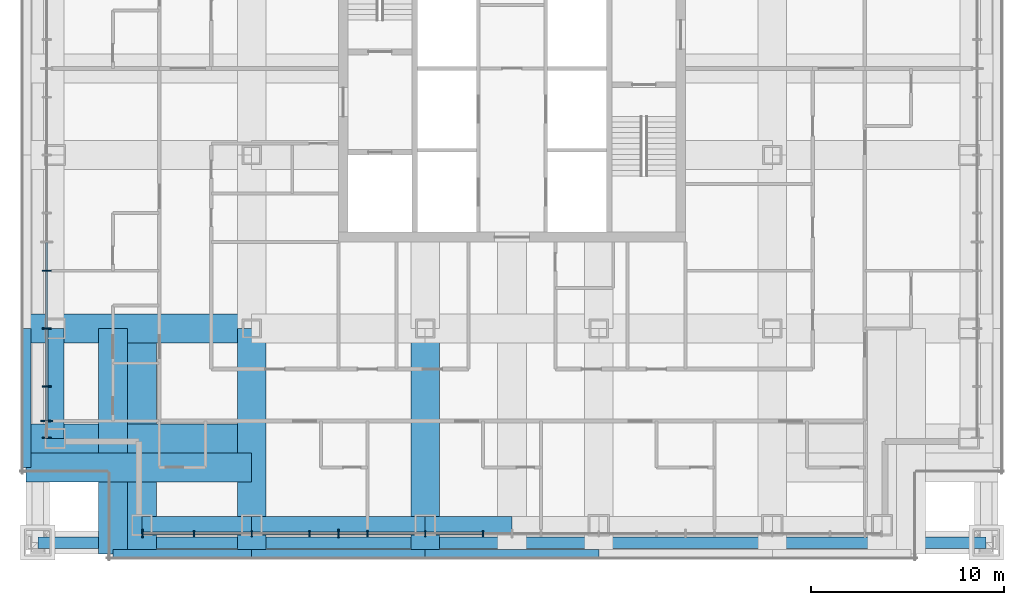
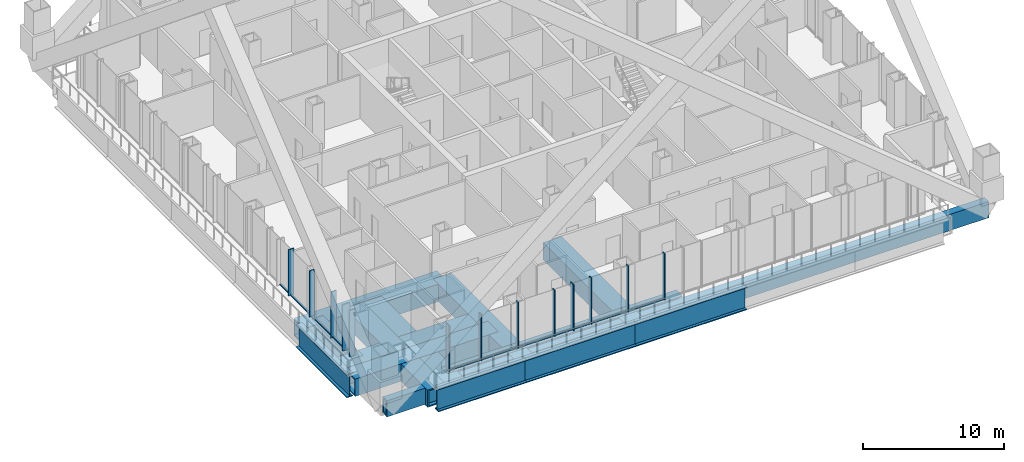
# One storey, part 2 of 20: 25 members, 15 beams, 2 elements without a shape of their own.
"""IFC4 building model written with IfcOpenShell, lengths in metres."""

from ifc_helpers import new_model, si_unit, direction, frame, origin, origin_2d, place, context, subcontext, project, spatial, rectangle, hollow_rectangle, i_section, extrude, material, layer, layer_set, material_profile, profile_set, type_object, element, aggregate, save


model = new_model("IFC4")

# Units and contexts
model_context = context("Model", 3, precision=1e-05, world=origin(), true_north=direction((0.0, 1.0)))
body_context = subcontext(model_context, "Body", "Model", "MODEL_VIEW")
ifc_project = project(units=[si_unit("LENGTHUNIT", "METRE"), si_unit("AREAUNIT", "SQUARE_METRE"), si_unit("VOLUMEUNIT", "CUBIC_METRE"), si_unit("PLANEANGLEUNIT", "RADIAN"), si_unit("MASSUNIT", "GRAM", prefix="KILO")], contexts=[model_context])

# Site, building, storey
site_placement = place(None, origin())
site = spatial("IfcSite", under=ifc_project, at=site_placement, CompositionType="ELEMENT")
building_placement = place(site_placement, origin())
building = spatial("IfcBuilding", under=site, at=building_placement, Name="Malebo Sky Hospital", CompositionType="ELEMENT")
storey_placement = place(building_placement, frame((0.0, 0.0, 100.0)))
storey = spatial("IfcBuildingStorey", under=building, at=storey_placement, Name="L23", CompositionType="ELEMENT", Elevation=100.0)

# Curtain wall, members
ifc_material_1 = material(Name="Anodised aluminium, natural silver", Category="aluminium")
ifc_layer_1 = layer(ifc_material_1, 0.25)
ifc_layer_set_1 = layer_set([ifc_layer_1], Name="WARD CURTAIN WALL EAST AND WEST")
curtain_wall_type_1 = type_object("IfcCurtainWallType", Name="WARD CURTAIN WALL EAST AND WEST", PredefinedType="NOTDEFINED", material=ifc_layer_set_1)
curtain_wall_1_placement = place(storey_placement, origin())
curtain_wall_1 = element("IfcCurtainWall", 1, at=curtain_wall_1_placement, inside=storey, type_object=curtain_wall_type_1, Name="EW curtain wall W", PredefinedType="NOTDEFINED")
ifc_material_profile_1 = material_profile(ifc_material_1, rectangle(XDim=0.14990234375, YDim=0.10009765625, at=origin_2d()), Name="ALUMINIUM TRANSOM 150x100")
ifc_profile_set_1 = profile_set([ifc_material_profile_1], Name="Anodised aluminium, natural silver")
member_type_1 = type_object("IfcMemberType", Name="ALUMINIUM TRANSOM 150x100", PredefinedType="USERDEFINED", material=ifc_profile_set_1)
member_1_placement = place(storey_placement, frame((35.864990234375, 43.737548828125, 0.050048828125), z_axis=(0.0, 1.0, 0.0), x_axis=(-1.0, 0.0, 0.0)))
member_1 = element("IfcMember", 2, at=member_1_placement, type_object=member_type_1, Name="Transom 2", ObjectType="TRANSOM", PredefinedType="USERDEFINED", context=body_context, shape_type="SweptSolid", body=[
    extrude(rectangle(XDim=0.14990234375, YDim=0.10009765625, at=origin_2d()), origin(), (0.0, 0.0, 1.0), 1.724853515625),
])
member_2_placement = place(storey_placement, frame((35.864990234375, 45.53759765625, 0.050048828125), z_axis=(0.0, 1.0, 0.0), x_axis=(-1.0, 0.0, 0.0)))
member_2 = element("IfcMember", 3, at=member_2_placement, type_object=member_type_1, Name="Transom 3", ObjectType="TRANSOM", PredefinedType="USERDEFINED", context=body_context, shape_type="SweptSolid", body=[
    extrude(rectangle(XDim=0.14990234375, YDim=0.10009765625, at=origin_2d()), origin(), (0.0, 0.0, 1.0), 2.9248046875),
])
member_3_placement = place(storey_placement, frame((35.864990234375, 48.53759765625, 0.050048828125), z_axis=(0.0, 1.0, 0.0), x_axis=(-1.0, 0.0, 0.0)))
member_3 = element("IfcMember", 4, at=member_3_placement, type_object=member_type_1, Name="Transom 4", ObjectType="TRANSOM", PredefinedType="USERDEFINED", context=body_context, shape_type="SweptSolid", body=[
    extrude(rectangle(XDim=0.14990234375, YDim=0.10009765625, at=origin_2d()), origin(), (0.0, 0.0, 1.0), 2.9248046875),
])
member_4_placement = place(storey_placement, frame((35.864990234375, 51.53759765625, 0.050048828125), z_axis=(0.0, 1.0, 0.0), x_axis=(-1.0, 0.0, 0.0)))
member_4 = element("IfcMember", 5, at=member_4_placement, type_object=member_type_1, Name="Transom 5", ObjectType="TRANSOM", PredefinedType="USERDEFINED", context=body_context, shape_type="SweptSolid", body=[
    extrude(rectangle(XDim=0.14990234375, YDim=0.10009765625, at=origin_2d()), origin(), (0.0, 0.0, 1.0), 1.4248046875),
])

ifc_layer_2 = layer(ifc_material_1, 0.25)
ifc_layer_set_2 = layer_set([ifc_layer_2], Name="WARD CURTAIN WALL NORTH AND SOUTH")
curtain_wall_type_2 = type_object("IfcCurtainWallType", Name="WARD CURTAIN WALL NORTH AND SOUTH", PredefinedType="NOTDEFINED", material=ifc_layer_set_2)
curtain_wall_2_placement = place(storey_placement, origin())
curtain_wall_2 = element("IfcCurtainWall", 6, at=curtain_wall_2_placement, inside=storey, type_object=curtain_wall_type_2, Name="NS curtain wall S", PredefinedType="NOTDEFINED")
member_5_placement = place(storey_placement, frame((58.46240234375, 37.864990234375, 0.050048828125), z_axis=(-1.0, 0.0, 0.0), x_axis=(0.0, -1.0, 0.0)))
member_5 = element("IfcMember", 7, at=member_5_placement, type_object=member_type_1, Name="Transom 11", ObjectType="TRANSOM", PredefinedType="USERDEFINED", context=body_context, shape_type="SweptSolid", body=[
    extrude(rectangle(XDim=0.14990234375, YDim=0.10009765625, at=origin_2d()), origin(), (0.0, 0.0, 1.0), 2.9248046875),
])
member_6_placement = place(storey_placement, frame((55.46240234375, 37.864990234375, 0.050048828125), z_axis=(-1.0, 0.0, 0.0), x_axis=(0.0, -1.0, 0.0)))
member_6 = element("IfcMember", 8, at=member_6_placement, type_object=member_type_1, Name="Transom 12", ObjectType="TRANSOM", PredefinedType="USERDEFINED", context=body_context, shape_type="SweptSolid", body=[
    extrude(rectangle(XDim=0.14990234375, YDim=0.10009765625, at=origin_2d()), origin(), (0.0, 0.0, 1.0), 2.9248046875),
])
member_7_placement = place(storey_placement, frame((52.46240234375, 37.864990234375, 0.050048828125), z_axis=(-1.0, 0.0, 0.0), x_axis=(0.0, -1.0, 0.0)))
member_7 = element("IfcMember", 9, at=member_7_placement, type_object=member_type_1, Name="Transom 13", ObjectType="TRANSOM", PredefinedType="USERDEFINED", context=body_context, shape_type="SweptSolid", body=[
    extrude(rectangle(XDim=0.14990234375, YDim=0.10009765625, at=origin_2d()), origin(), (0.0, 0.0, 1.0), 1.4248046875),
])
member_8_placement = place(storey_placement, frame((50.96240234375, 37.864990234375, 0.050048828125), z_axis=(-1.0, 0.0, 0.0), x_axis=(0.0, -1.0, 0.0)))
member_8 = element("IfcMember", 10, at=member_8_placement, type_object=member_type_1, Name="Transom 14", ObjectType="TRANSOM", PredefinedType="USERDEFINED", context=body_context, shape_type="SweptSolid", body=[
    extrude(rectangle(XDim=0.14990234375, YDim=0.10009765625, at=origin_2d()), origin(), (0.0, 0.0, 1.0), 1.4248046875),
])
member_9_placement = place(storey_placement, frame((49.46240234375, 37.864990234375, 0.050048828125), z_axis=(-1.0, 0.0, 0.0), x_axis=(0.0, -1.0, 0.0)))
member_9 = element("IfcMember", 11, at=member_9_placement, type_object=member_type_1, Name="Transom 15", ObjectType="TRANSOM", PredefinedType="USERDEFINED", context=body_context, shape_type="SweptSolid", body=[
    extrude(rectangle(XDim=0.14990234375, YDim=0.10009765625, at=origin_2d()), origin(), (0.0, 0.0, 1.0), 2.9248046875),
])
member_10_placement = place(storey_placement, frame((46.46240234375, 37.864990234375, 0.050048828125), z_axis=(-1.0, 0.0, 0.0), x_axis=(0.0, -1.0, 0.0)))
member_10 = element("IfcMember", 12, at=member_10_placement, type_object=member_type_1, Name="Transom 16", ObjectType="TRANSOM", PredefinedType="USERDEFINED", context=body_context, shape_type="SweptSolid", body=[
    extrude(rectangle(XDim=0.14990234375, YDim=0.10009765625, at=origin_2d()), origin(), (0.0, 0.0, 1.0), 2.9248046875),
])
member_11_placement = place(storey_placement, frame((43.46240234375, 37.864990234375, 0.050048828125), z_axis=(-1.0, 0.0, 0.0), x_axis=(0.0, -1.0, 0.0)))
member_11 = element("IfcMember", 13, at=member_11_placement, type_object=member_type_1, Name="Transom 17", ObjectType="TRANSOM", PredefinedType="USERDEFINED", context=body_context, shape_type="SweptSolid", body=[
    extrude(rectangle(XDim=0.14990234375, YDim=0.10009765625, at=origin_2d()), origin(), (0.0, 0.0, 1.0), 2.58740234375),
])
ifc_material_profile_2 = material_profile(ifc_material_1, rectangle(XDim=0.074951171875, YDim=0.300048828125, at=origin_2d()), Name="CW1 ALUMINIUM FIN MULLION 75x300")
ifc_profile_set_2 = profile_set([ifc_material_profile_2], Name="Anodised aluminium, natural silver")
member_type_2 = type_object("IfcMemberType", Name="CW1 ALUMINIUM FIN MULLION 75x300", PredefinedType="MULLION", material=ifc_profile_set_2)
member_12_placement = place(storey_placement, frame((58.5, 37.864990234375, 0.0), z_axis=(0.0, 0.0, 1.0), x_axis=(-1.0, 0.0, 0.0)))
member_12 = element("IfcMember", 14, at=member_12_placement, type_object=member_type_2, Name="Fin mullion 11", PredefinedType="MULLION", context=body_context, shape_type="SweptSolid", body=[
    extrude(rectangle(XDim=0.074951171875, YDim=0.300048828125, at=origin_2d()), origin(), (0.0, 0.0, 1.0), 4.0),
])
member_13_placement = place(storey_placement, frame((55.5, 37.864990234375, 0.0), z_axis=(0.0, 0.0, 1.0), x_axis=(-1.0, 0.0, 0.0)))
member_13 = element("IfcMember", 15, at=member_13_placement, type_object=member_type_2, Name="Fin mullion 12", PredefinedType="MULLION", context=body_context, shape_type="SweptSolid", body=[
    extrude(rectangle(XDim=0.074951171875, YDim=0.300048828125, at=origin_2d()), origin(), (0.0, 0.0, 1.0), 4.0),
])
member_14_placement = place(storey_placement, frame((52.5, 37.864990234375, 0.0), z_axis=(0.0, 0.0, 1.0), x_axis=(-1.0, 0.0, 0.0)))
member_14 = element("IfcMember", 16, at=member_14_placement, type_object=member_type_2, Name="Fin mullion 13", PredefinedType="MULLION", context=body_context, shape_type="SweptSolid", body=[
    extrude(rectangle(XDim=0.074951171875, YDim=0.300048828125, at=origin_2d()), origin(), (0.0, 0.0, 1.0), 4.0),
])
member_15_placement = place(storey_placement, frame((49.5, 37.864990234375, 0.0), z_axis=(0.0, 0.0, 1.0), x_axis=(-1.0, 0.0, 0.0)))
member_15 = element("IfcMember", 17, at=member_15_placement, type_object=member_type_2, Name="Fin mullion 15", PredefinedType="MULLION", context=body_context, shape_type="SweptSolid", body=[
    extrude(rectangle(XDim=0.074951171875, YDim=0.300048828125, at=origin_2d()), origin(), (0.0, 0.0, 1.0), 4.0),
])
member_16_placement = place(storey_placement, frame((46.5, 37.864990234375, 0.0), z_axis=(0.0, 0.0, 1.0), x_axis=(-1.0, 0.0, 0.0)))
member_16 = element("IfcMember", 18, at=member_16_placement, type_object=member_type_2, Name="Fin mullion 16", PredefinedType="MULLION", context=body_context, shape_type="SweptSolid", body=[
    extrude(rectangle(XDim=0.074951171875, YDim=0.300048828125, at=origin_2d()), origin(), (0.0, 0.0, 1.0), 4.0),
])
member_17_placement = place(storey_placement, frame((43.5, 37.864990234375, 0.0), z_axis=(0.0, 0.0, 1.0), x_axis=(-1.0, 0.0, 0.0)))
member_17 = element("IfcMember", 19, at=member_17_placement, type_object=member_type_2, Name="Fin mullion 17", PredefinedType="MULLION", context=body_context, shape_type="SweptSolid", body=[
    extrude(rectangle(XDim=0.074951171875, YDim=0.300048828125, at=origin_2d()), origin(), (0.0, 0.0, 1.0), 4.0),
])
ifc_material_profile_3 = material_profile(ifc_material_1, rectangle(XDim=0.074951171875, YDim=0.449951171875, at=origin_2d()), Name="CW1 ALUMINIUM FIN MULLION 75x450")
ifc_profile_set_3 = profile_set([ifc_material_profile_3], Name="Anodised aluminium, natural silver")
member_type_3 = type_object("IfcMemberType", Name="CW1 ALUMINIUM FIN MULLION 75x450", PredefinedType="MULLION", material=ifc_profile_set_3)
member_18_placement = place(storey_placement, frame((51.0, 37.864990234375, 0.0), z_axis=(0.0, 0.0, 1.0), x_axis=(-1.0, 0.0, 0.0)))
member_18 = element("IfcMember", 20, at=member_18_placement, type_object=member_type_3, Name="Fin mullion 14", PredefinedType="MULLION", context=body_context, shape_type="SweptSolid", body=[
    extrude(rectangle(XDim=0.074951171875, YDim=0.449951171875, at=origin_2d()), origin(), (0.0, 0.0, 1.0), 4.0),
])
member_19_placement = place(storey_placement, frame((40.83740234375, 37.864990234375, 0.0), z_axis=(0.0, 0.0, 1.0), x_axis=(-1.0, 0.0, 0.0)))
member_19 = element("IfcMember", 21, at=member_19_placement, type_object=member_type_3, Name="Fin mullion 18", PredefinedType="MULLION", context=body_context, shape_type="SweptSolid", body=[
    extrude(rectangle(XDim=0.074951171875, YDim=0.449951171875, at=origin_2d()), origin(), (0.0, 0.0, 1.0), 4.0),
])
aggregate(curtain_wall_2, [member_12, member_13, member_14, member_18, member_15, member_16, member_17, member_19, member_5, member_6, member_7, member_8, member_9, member_10, member_11])

# Member
ifc_material_profile_4 = material_profile(ifc_material_1, rectangle(XDim=0.074951171875, YDim=0.449951171875, at=origin_2d()), Name="CW2 ALUMINIUM FIN MULLION 75x450")
ifc_profile_set_4 = profile_set([ifc_material_profile_4], Name="Anodised aluminium, natural silver")
member_type_4 = type_object("IfcMemberType", Name="CW2 ALUMINIUM FIN MULLION 75x450", PredefinedType="MULLION", material=ifc_profile_set_4)
member_20_placement = place(storey_placement, frame((35.864990234375, 42.83740234375, 0.0), z_axis=(0.0, 0.0, 1.0), x_axis=(0.0, 1.0, 0.0)))
member_20 = element("IfcMember", 22, at=member_20_placement, type_object=member_type_4, Name="Fin mullion 1", PredefinedType="MULLION", context=body_context, shape_type="SweptSolid", body=[
    extrude(rectangle(XDim=0.074951171875, YDim=0.449951171875, at=origin_2d()), origin(), (0.0, 0.0, 1.0), 4.0),
])

member_21_placement = place(storey_placement, frame((35.864990234375, 45.5, 0.0), z_axis=(0.0, 0.0, 1.0), x_axis=(0.0, 1.0, 0.0)))
member_21 = element("IfcMember", 23, at=member_21_placement, type_object=member_type_4, Name="Fin mullion 3", PredefinedType="MULLION", context=body_context, shape_type="SweptSolid", body=[
    extrude(rectangle(XDim=0.074951171875, YDim=0.449951171875, at=origin_2d()), origin(), (0.0, 0.0, 1.0), 4.0),
])

member_22_placement = place(storey_placement, frame((35.864990234375, 48.5, 0.0), z_axis=(0.0, 0.0, 1.0), x_axis=(0.0, 1.0, 0.0)))
member_22 = element("IfcMember", 24, at=member_22_placement, type_object=member_type_4, Name="Fin mullion 4", PredefinedType="MULLION", context=body_context, shape_type="SweptSolid", body=[
    extrude(rectangle(XDim=0.074951171875, YDim=0.449951171875, at=origin_2d()), origin(), (0.0, 0.0, 1.0), 4.0),
])

member_23_placement = place(storey_placement, frame((35.864990234375, 51.5, 0.0), z_axis=(0.0, 0.0, 1.0), x_axis=(0.0, 1.0, 0.0)))
member_23 = element("IfcMember", 25, at=member_23_placement, type_object=member_type_4, Name="Fin mullion 5", PredefinedType="MULLION", context=body_context, shape_type="SweptSolid", body=[
    extrude(rectangle(XDim=0.074951171875, YDim=0.449951171875, at=origin_2d()), origin(), (0.0, 0.0, 1.0), 4.0),
])

ifc_material_profile_5 = material_profile(ifc_material_1, rectangle(XDim=0.074951171875, YDim=0.60009765625, at=origin_2d()), Name="CW2 ALUMINIUM FIN MULLION 75x600")
ifc_profile_set_5 = profile_set([ifc_material_profile_5], Name="Anodised aluminium, natural silver")
member_type_5 = type_object("IfcMemberType", Name="CW2 ALUMINIUM FIN MULLION 75x600", PredefinedType="MULLION", material=ifc_profile_set_5)
member_24_placement = place(storey_placement, frame((35.864990234375, 43.699951171875, 0.0), z_axis=(0.0, 0.0, 1.0), x_axis=(0.0, 1.0, 0.0)))
member_24 = element("IfcMember", 26, at=member_24_placement, type_object=member_type_5, Name="Fin mullion 2", PredefinedType="MULLION", context=body_context, shape_type="SweptSolid", body=[
    extrude(rectangle(XDim=0.074951171875, YDim=0.60009765625, at=origin_2d()), origin(), (0.0, 0.0, 1.0), 4.0),
])

aggregate(curtain_wall_1, [member_20, member_24, member_21, member_22, member_23, member_1, member_2, member_3, member_4])

ifc_material_2 = material(Name="Steel S460", Category="steel")
ifc_material_profile_6 = material_profile(ifc_material_2, hollow_rectangle(XDim=0.60009765625, YDim=1.39990234375, WallThickness=0.10009765625, at=origin_2d()), Name="BOX 1400x600x100")
ifc_profile_set_6 = profile_set([ifc_material_profile_6], Name="Steel S460")
member_type_6 = type_object("IfcMemberType", Name="MEGA TIE BOX 1400x600x100", PredefinedType="CHORD", material=ifc_profile_set_6)
member_25_placement = place(storey_placement, frame((35.39990234375, 37.39990234375, -0.949951171875), z_axis=(1.0, 0.0, 0.0), x_axis=(0.0, 1.0, 0.0)))
element("IfcMember", 27, at=member_25_placement, inside=storey, type_object=member_type_6, Name="Mega tie BS L23", PredefinedType="CHORD", context=body_context, shape_type="SweptSolid", body=[
    extrude(hollow_rectangle(XDim=0.60009765625, YDim=1.39990234375, WallThickness=0.10009765625, at=origin_2d()), origin(), (0.0, 0.0, 1.0), 49.2001953125),
])

# Beams
ifc_material_profile_7 = material_profile(ifc_material_2, hollow_rectangle(XDim=1.5, YDim=1.5, WallThickness=0.10009765625, at=origin_2d()), Name="BOX 1500x1500x100")
ifc_profile_set_7 = profile_set([ifc_material_profile_7], Name="Steel S460")
beam_type_1 = type_object("IfcBeamType", Name="TRANSFER GIRDER BOX 1500x1500x100", PredefinedType="BEAM", material=ifc_profile_set_7)
for number, where, z_axis, x_axis, name in (
    (28, (46.5, 36.800048828125, -1.0), (0.0, 1.0, 0.0), (-1.0, 0.0, 0.0), "Beam 010 L23"),
    (29, (55.5, 36.800048828125, -1.0), (0.0, 1.0, 0.0), (-1.0, 0.0, 0.0), "Beam 015 L23"),
    (30, (34.800048828125, 48.5, -1.0), (1.0, 0.0, 0.0), (0.0, 1.0, 0.0), "Beam 050 L23"),
    (31, (39.300048828125, 36.800048828125, -1.0), (0.0, 1.0, 0.0), (-1.0, 0.0, 0.0), "Beam 006 L23"),
    (32, (40.800048828125, 36.800048828125, -1.0), (0.0, 1.0, 0.0), (-1.0, 0.0, 0.0), "Beam 008 L23"),
    (33, (34.800048828125, 41.300048828125, -1.0), (1.0, 0.0, 0.0), (0.0, 1.0, 0.0), "Beam 046 L23"),
    (34, (34.800048828125, 42.800048828125, -1.0), (1.0, 0.0, 0.0), (0.0, 1.0, 0.0), "Beam 048 L23"),
):
    element("IfcBeam", number, at=place(storey_placement, frame(where, z_axis=z_axis, x_axis=x_axis)), inside=storey, type_object=beam_type_1, Name=name, PredefinedType="BEAM", context=body_context, shape_type="SweptSolid", body=[
        extrude(hollow_rectangle(XDim=1.5, YDim=1.5, WallThickness=0.10009765625, at=origin_2d()), origin(), (0.0, 0.0, 1.0), 11.699951171875),
    ])
ifc_material_3 = material(Name="Steel S355", Category="steel")
ifc_material_profile_8 = material_profile(ifc_material_3, i_section(OverallWidth=0.5, OverallDepth=2.0, WebThickness=0.0400390625, FlangeThickness=0.080078125, at=origin_2d()), Name="PG 2000x500x40x80")
ifc_profile_set_8 = profile_set([ifc_material_profile_8], Name="Steel S355")
beam_type_2 = type_object("IfcBeamType", Name="TRANSFER GIRDER PG 2000x500x40x80", PredefinedType="BEAM", material=ifc_profile_set_8)
for number, where, z_axis, x_axis, name in (
    (35, (34.800048828125, 41.300048828125, -1.25), (0.0, 1.0, 0.0), (-1.0, 0.0, 0.0), "Beam 000 L23"),
    (36, (39.300048828125, 36.800048828125, -1.25), (1.0, 0.0, 0.0), (0.0, 1.0, 0.0), "Beam 040 L23"),
):
    element("IfcBeam", number, at=place(storey_placement, frame(where, z_axis=z_axis, x_axis=x_axis)), inside=storey, type_object=beam_type_2, Name=name, PredefinedType="BEAM", context=body_context, shape_type="SweptSolid", body=[
        extrude(i_section(OverallWidth=0.5, OverallDepth=2.0, WebThickness=0.0400390625, FlangeThickness=0.080078125, at=origin_2d()), origin(), (0.0, 0.0, 1.0), 7.199951171875),
    ])
for number, where, z_axis, x_axis, name in (
    (37, (46.5, 36.800048828125, -1.25), (1.0, 0.0, 0.0), (0.0, 1.0, 0.0), "Beam 041 L23"),
    (38, (55.5, 36.800048828125, -1.25), (1.0, 0.0, 0.0), (0.0, 1.0, 0.0), "Beam 042 L23"),
):
    element("IfcBeam", number, at=place(storey_placement, frame(where, z_axis=z_axis, x_axis=x_axis)), inside=storey, type_object=beam_type_2, Name=name, PredefinedType="BEAM", context=body_context, shape_type="SweptSolid", body=[
        extrude(i_section(OverallWidth=0.5, OverallDepth=2.0, WebThickness=0.0400390625, FlangeThickness=0.080078125, at=origin_2d()), origin(), (0.0, 0.0, 1.0), 9.0),
    ])
ifc_material_profile_9 = material_profile(ifc_material_3, i_section(OverallWidth=0.89990234375, OverallDepth=2.39990234375, WebThickness=0.050048828125, FlangeThickness=0.10009765625, at=origin_2d()), Name="PG 2400x900x50x100")
ifc_profile_set_9 = profile_set([ifc_material_profile_9], Name="Steel S355")
beam_type_3 = type_object("IfcBeamType", Name="TRANSFER GIRDER PG 2400x900x50x100", PredefinedType="BEAM", material=ifc_profile_set_9)
for number, where, z_axis, x_axis, name in (
    (39, (36.300048828125, 42.800048828125, -1.449951171875), (0.0, 1.0, 0.0), (-1.0, 0.0, 0.0), "Beam 005 L23"),
    (40, (40.800048828125, 38.300048828125, -1.449951171875), (1.0, 0.0, 0.0), (0.0, 1.0, 0.0), "Beam 045 L23"),
):
    element("IfcBeam", number, at=place(storey_placement, frame(where, z_axis=z_axis, x_axis=x_axis)), inside=storey, type_object=beam_type_3, Name=name, PredefinedType="BEAM", context=body_context, shape_type="SweptSolid", body=[
        extrude(i_section(OverallWidth=0.89990234375, OverallDepth=2.39990234375, WebThickness=0.050048828125, FlangeThickness=0.10009765625, at=origin_2d()), origin(), (0.0, 0.0, 1.0), 5.699951171875),
    ])
beam_1_placement = place(storey_placement, frame((46.5, 38.300048828125, -1.449951171875), z_axis=(1.0, 0.0, 0.0), x_axis=(0.0, 1.0, 0.0)))
element("IfcBeam", 41, at=beam_1_placement, inside=storey, type_object=beam_type_3, Name="Beam 045b L23", PredefinedType="BEAM", context=body_context, shape_type="SweptSolid", body=[
    extrude(i_section(OverallWidth=0.89990234375, OverallDepth=2.39990234375, WebThickness=0.050048828125, FlangeThickness=0.10009765625, at=origin_2d()), origin(), (0.0, 0.0, 1.0), 9.0),
])
beam_2_placement = place(storey_placement, frame((55.5, 38.300048828125, -1.449951171875), z_axis=(1.0, 0.0, 0.0), x_axis=(0.0, 1.0, 0.0)))
element("IfcBeam", 42, at=beam_2_placement, inside=storey, type_object=beam_type_3, Name="Beam 045c L23", PredefinedType="BEAM", context=body_context, shape_type="SweptSolid", body=[
    extrude(i_section(OverallWidth=0.89990234375, OverallDepth=2.39990234375, WebThickness=0.050048828125, FlangeThickness=0.10009765625, at=origin_2d()), origin(), (0.0, 0.0, 1.0), 4.5),
])

save(model, "model.ifc")
